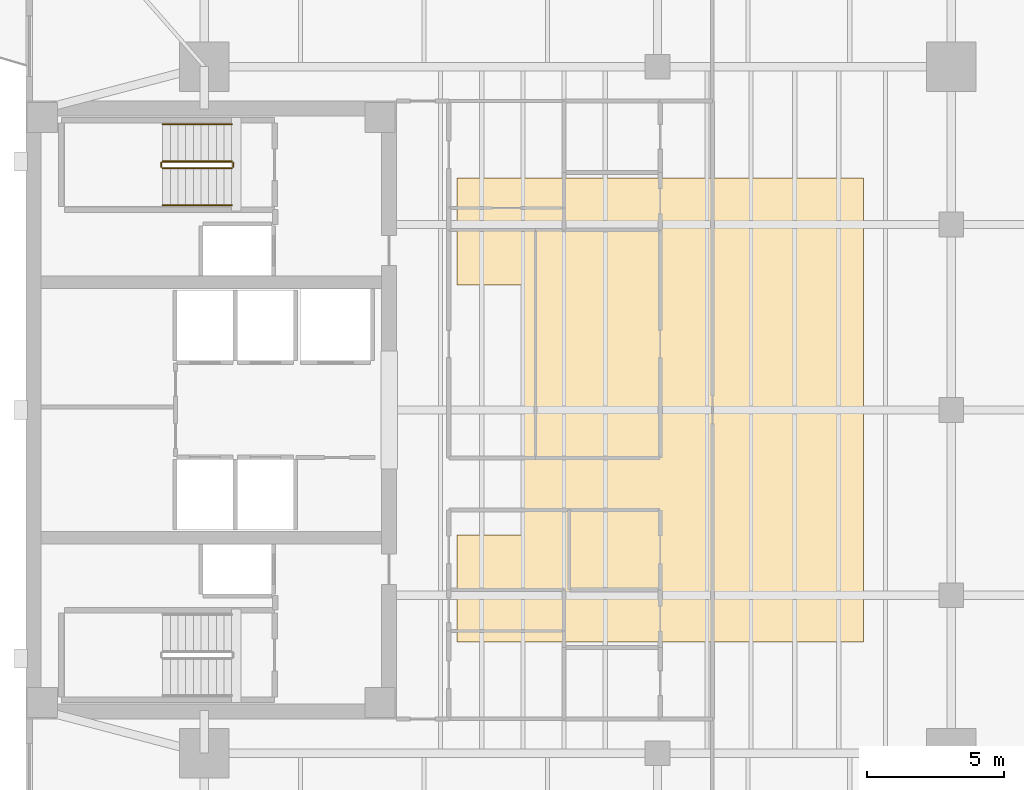
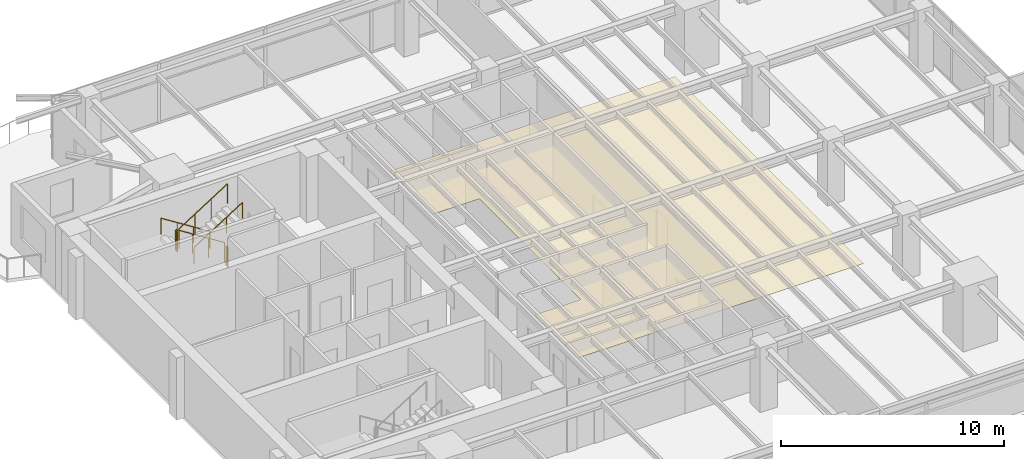
# One storey, part 13 of 14: 6 railings, 1 covering.
"""IFC4 building model written with IfcOpenShell, lengths in metres."""

from ifc_helpers import new_model, si_unit, direction, frame, origin, origin_2d, place, context, subcontext, project, spatial, polyline, circle, outline, extrude, material, layer, layer_set, type_object, element, save


model = new_model("IFC4")

# Units and contexts
model_context = context("Model", 3, precision=1e-05, world=origin(), true_north=direction((0.0, 1.0)))
body_context = subcontext(model_context, "Body", "Model", "MODEL_VIEW")
ifc_project = project(units=[si_unit("LENGTHUNIT", "METRE"), si_unit("AREAUNIT", "SQUARE_METRE"), si_unit("VOLUMEUNIT", "CUBIC_METRE"), si_unit("PLANEANGLEUNIT", "RADIAN"), si_unit("MASSUNIT", "GRAM", prefix="KILO")], contexts=[model_context])

# Site, building, storey
site_placement = place(None, origin())
site = spatial("IfcSite", under=ifc_project, at=site_placement, CompositionType="ELEMENT")
building_placement = place(site_placement, origin())
building = spatial("IfcBuilding", under=site, at=building_placement, Name="Kinhvarn Gate Tower", CompositionType="ELEMENT")
storey_placement = place(building_placement, frame((0.0, 0.0, 198.699951171875)))
storey = spatial("IfcBuildingStorey", under=building, at=storey_placement, Name="L52", CompositionType="ELEMENT", Elevation=198.699951171875)

# Covering
ifc_material_1 = material(Name="Mineral-fibre acoustic ceiling tile")
ifc_layer = layer(ifc_material_1, 0.02001953125)
ifc_layer_set = layer_set([ifc_layer], Name="Mineral-fibre acoustic ceiling tile")
covering_type = type_object("IfcCoveringType", Name="COV-CEIL-20", PredefinedType="CEILING", material=ifc_layer_set)
covering_placement = place(storey_placement, frame((0.0, 0.0, 2.650146484375)))
element("IfcCovering", 1, at=covering_placement, inside=storey, type_object=covering_type, Name="Suspended Acoustic Ceiling Tile (L52-1)", PredefinedType="CEILING", context=body_context, shape_type="SweptSolid", body=[
    extrude(outline(polyline([(35.0, 33.699951171875), (35.0, 16.800048828125), (20.199951171875, 16.800048828125), (20.199951171875, 20.699951171875), (22.60009765625, 20.699951171875), (22.60009765625, 29.800048828125), (20.199951171875, 29.800048828125), (20.199951171875, 33.699951171875), (35.0, 33.699951171875)])), origin(), (0.0, 0.0, 1.0), 0.02001953125),
])

# Railings
ifc_material_2 = material(Name="Steel S355", Category="steel")
railing_type_1 = type_object("IfcRailingType", Name="RL-ST-GRD", PredefinedType="BALUSTRADE", material=ifc_material_2)
railing_1_placement = place(storey_placement, frame((12.0, 34.300048828125, 0.177490234375)))
element("IfcRailing", 2, at=railing_1_placement, inside=storey, type_object=railing_type_1, Name="L52 ST2 stair guard 1", PredefinedType="BALUSTRADE", context=body_context, shape_type="SweptSolid", body=[
    extrude(circle(Radius=0.02392578125, at=origin_2d()), frame((0.0, 0.0, 1.076171875), z_axis=(-0.84456994832, 0.0, 0.535445237532), x_axis=(0.0, -1.0, 0.0)), (0.0, 0.0, 1.0), 2.98388671875),
    extrude(circle(Radius=0.02099609375, at=origin_2d()), origin(), (0.0, 0.0, 1.0), 1.052001953125),
    extrude(circle(Radius=0.02099609375, at=origin_2d()), frame((-0.840087890625, 0.0, 0.532470703125)), (0.0, 0.0, 1.0), 1.052001953125),
    extrude(circle(Radius=0.02099609375, at=origin_2d()), frame((-1.679931640625, 0.0, 1.065185546875)), (0.0, 0.0, 1.0), 1.052001953125),
    extrude(circle(Radius=0.02099609375, at=origin_2d()), frame((-2.52001953125, 0.0, 1.59765625)), (0.0, 0.0, 1.0), 1.052001953125),
])
railing_2_placement = place(storey_placement, frame((9.429931640625, 34.25, 1.775146484375)))
element("IfcRailing", 3, at=railing_2_placement, inside=storey, type_object=railing_type_1, Name="L52 ST2 stair guard 2", PredefinedType="BALUSTRADE", context=body_context, shape_type="SweptSolid", body=[
    extrude(circle(Radius=0.02392578125, at=origin_2d()), frame((0.0, 0.0, 1.076171875), z_axis=(0.0, -1.0, 0.0), x_axis=(1.0, 0.0, 0.0)), (0.0, 0.0, 1.0), 0.14990234375),
    extrude(circle(Radius=0.02099609375, at=origin_2d()), origin(), (0.0, 0.0, 1.0), 1.052001953125),
    extrude(circle(Radius=0.02099609375, at=origin_2d()), frame((0.0, -0.14990234375, 0.0)), (0.0, 0.0, 1.0), 1.052001953125),
])
railing_3_placement = place(storey_placement, frame((9.47998046875, 34.050048828125, 1.95263671875)))
element("IfcRailing", 4, at=railing_3_placement, inside=storey, type_object=railing_type_1, Name="L52 ST2 stair guard 3", PredefinedType="BALUSTRADE", context=body_context, shape_type="SweptSolid", body=[
    extrude(circle(Radius=0.02392578125, at=origin_2d()), frame((0.0, 0.0, 1.076171875), z_axis=(0.84460694969, 0.0, 0.535386869969), x_axis=(0.0, 1.0, 0.0)), (0.0, 0.0, 1.0), 2.983642578125),
    extrude(circle(Radius=0.02099609375, at=origin_2d()), origin(), (0.0, 0.0, 1.0), 1.052001953125),
    extrude(circle(Radius=0.02099609375, at=origin_2d()), frame((0.840087890625, 0.0, 0.532470703125)), (0.0, 0.0, 1.0), 1.052001953125),
    extrude(circle(Radius=0.02099609375, at=origin_2d()), frame((1.679931640625, 0.0, 1.06494140625)), (0.0, 0.0, 1.0), 1.052001953125),
    extrude(circle(Radius=0.02099609375, at=origin_2d()), frame((2.52001953125, 0.0, 1.597412109375)), (0.0, 0.0, 1.0), 1.052001953125),
])
railing_4_placement = place(storey_placement, frame((12.050048828125, 34.25, 0.0)))
element("IfcRailing", 5, at=railing_4_placement, inside=storey, type_object=railing_type_1, Name="L52 ST2 stair guard 4", PredefinedType="BALUSTRADE", context=body_context, shape_type="SweptSolid", body=[
    extrude(circle(Radius=0.02392578125, at=origin_2d()), frame((0.0, 0.0, 1.076171875), z_axis=(0.0, -1.0, 0.0), x_axis=(1.0, 0.0, 0.0)), (0.0, 0.0, 1.0), 0.14990234375),
    extrude(circle(Radius=0.02099609375, at=origin_2d()), origin(), (0.0, 0.0, 1.0), 1.052001953125),
    extrude(circle(Radius=0.02099609375, at=origin_2d()), frame((0.0, -0.14990234375, 0.0)), (0.0, 0.0, 1.0), 1.052001953125),
])
railing_type_2 = type_object("IfcRailingType", Name="RL-ST-HND", PredefinedType="HANDRAIL", material=ifc_material_2)
railing_5_placement = place(storey_placement, frame((12.0, 35.64990234375, 0.177490234375)))
element("IfcRailing", 6, at=railing_5_placement, inside=storey, type_object=railing_type_2, Name="L52 ST2 stair handrail 1", PredefinedType="HANDRAIL", context=body_context, shape_type="SweptSolid", body=[
    extrude(circle(Radius=0.02392578125, at=origin_2d()), frame((0.0, 0.0, 0.8759765625), z_axis=(-0.84456994832, 0.0, 0.535445237532), x_axis=(0.0, -1.0, 0.0)), (0.0, 0.0, 1.0), 2.98388671875),
    extrude(circle(Radius=0.02099609375, at=origin_2d()), origin(), (0.0, 0.0, 1.0), 0.851806640625),
    extrude(circle(Radius=0.02099609375, at=origin_2d()), frame((-0.840087890625, 0.0, 0.532470703125)), (0.0, 0.0, 1.0), 0.851806640625),
    extrude(circle(Radius=0.02099609375, at=origin_2d()), frame((-1.679931640625, 0.0, 1.065185546875)), (0.0, 0.0, 1.0), 0.851806640625),
    extrude(circle(Radius=0.02099609375, at=origin_2d()), frame((-2.52001953125, 0.0, 1.59765625)), (0.0, 0.0, 1.0), 0.851806640625),
])
railing_6_placement = place(storey_placement, frame((9.47998046875, 32.699951171875, 1.95263671875)))
element("IfcRailing", 7, at=railing_6_placement, inside=storey, type_object=railing_type_2, Name="L52 ST2 stair handrail 2", PredefinedType="HANDRAIL", context=body_context, shape_type="SweptSolid", body=[
    extrude(circle(Radius=0.02392578125, at=origin_2d()), frame((0.0, 0.0, 0.8759765625), z_axis=(0.84460694969, 0.0, 0.535386869969), x_axis=(0.0, 1.0, 0.0)), (0.0, 0.0, 1.0), 2.983642578125),
    extrude(circle(Radius=0.02099609375, at=origin_2d()), origin(), (0.0, 0.0, 1.0), 0.851806640625),
    extrude(circle(Radius=0.02099609375, at=origin_2d()), frame((0.840087890625, 0.0, 0.532470703125)), (0.0, 0.0, 1.0), 0.851806640625),
    extrude(circle(Radius=0.02099609375, at=origin_2d()), frame((1.679931640625, 0.0, 1.06494140625)), (0.0, 0.0, 1.0), 0.851806640625),
    extrude(circle(Radius=0.02099609375, at=origin_2d()), frame((2.52001953125, 0.0, 1.597412109375)), (0.0, 0.0, 1.0), 0.851806640625),
])

save(model, "model.ifc")
